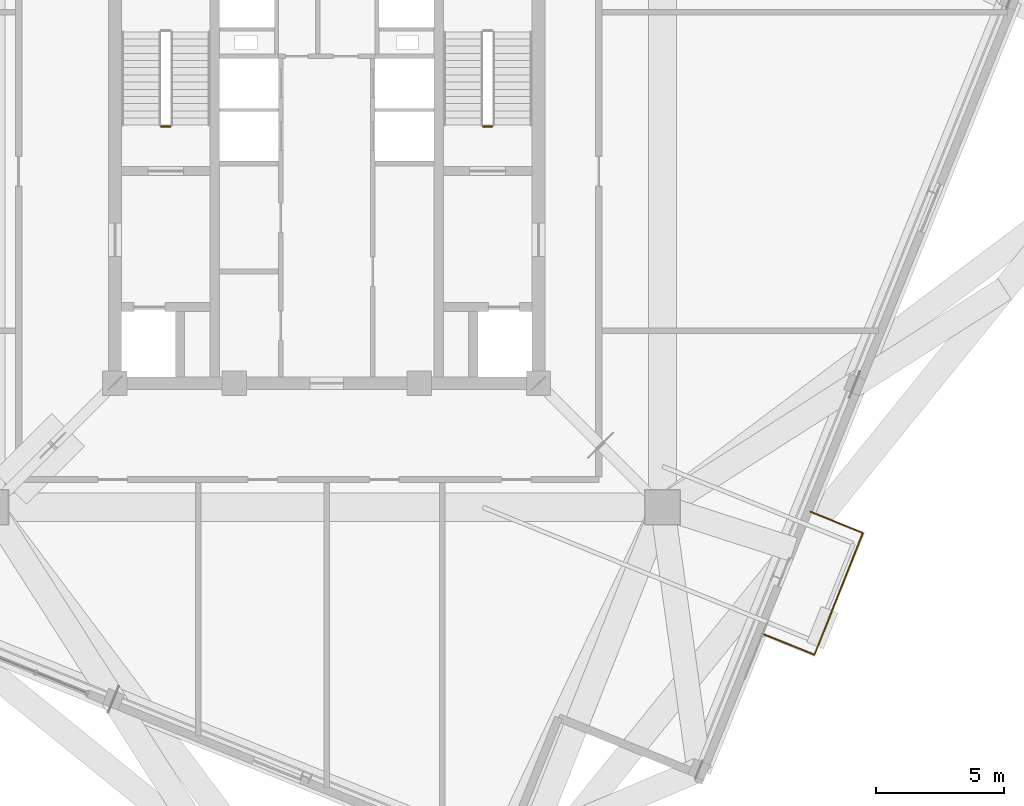
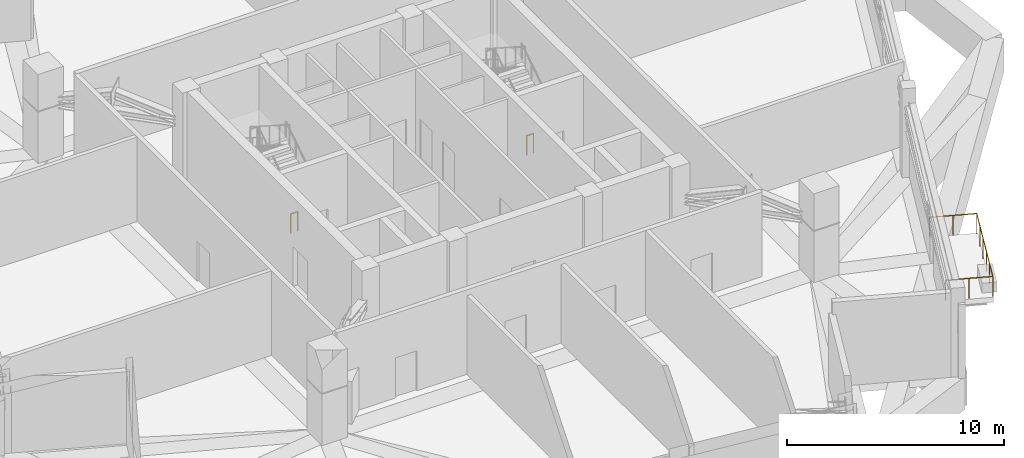
# One storey, part 18 of 20: 5 railings.
"""IFC4 building model written with IfcOpenShell, lengths in metres."""

import ifcopenshell
import ifcopenshell.guid

model = None  # the IFC model being written
_history = None  # IfcOwnerHistory: only IFC2X3 demands one
_inside = {}  # id of a spatial element -> (the spatial element, [elements in it])
_under = {}  # id of a project, library or spatial element -> (it, [spatial elements below it])
_declared = {}  # id of a project -> (the project, [libraries it declares])
_typed = {}  # id of a type object -> (the type object, [elements of that type])
_made_of = {}  # id of a material, layer set ... -> (it, [elements and type objects made of it])


def new_model(schema):
    """Start an empty IFC model of exactly this schema.

    Asked for "IFC4X3", IfcOpenShell would pick the latest addendum, in which some entities
    have other attributes; the version numbers below select the first issue.
    IFC2X3 requires an IfcOwnerHistory on every rooted entity: one is made here for all.
    """
    global model, _history
    if schema == "IFC4X3":
        model = ifcopenshell.file(schema_version=(4, 3, 0, 0))
    else:
        model = ifcopenshell.file(schema=schema)
    _inside.clear()
    _under.clear()
    _declared.clear()
    _typed.clear()
    _made_of.clear()
    _history = None
    if model.schema == "IFC2X3":
        org = make("IfcOrganization", Name="unknown")
        user = make(
            "IfcPersonAndOrganization",
            ThePerson=make("IfcPerson", FamilyName="unknown"),
            TheOrganization=org,
        )
        app = make(
            "IfcApplication",
            ApplicationDeveloper=org,
            Version="unknown",
            ApplicationFullName="unknown",
            ApplicationIdentifier="unknown",
        )
        _history = make(
            "IfcOwnerHistory",
            OwningUser=user,
            OwningApplication=app,
            ChangeAction="ADDED",
            CreationDate=0,
        )
    return model


def make(cls, **values):
    """One entity of the class cls with the attributes given. An attribute that is None is left unset."""
    return model.create_entity(
        cls, **{name: value for name, value in values.items() if value is not None}
    )


def rooted(cls, **values):
    """An entity with a GlobalId (a new one), such as an element, a storey or a relation."""
    return make(cls, GlobalId=ifcopenshell.guid.new(), OwnerHistory=_history, **values)


def si_unit(unit_type, name, prefix=None):
    """IfcSIUnit, for example si_unit("LENGTHUNIT", "METRE", prefix="MILLI")."""
    return make("IfcSIUnit", UnitType=unit_type, Prefix=prefix, Name=name)


def assignment(units):
    """IfcUnitAssignment: the units of a project."""
    return None if units is None else make("IfcUnitAssignment", Units=units)


def point(xyz):
    """IfcCartesianPoint."""
    return None if xyz is None else make("IfcCartesianPoint", Coordinates=xyz)


def direction(xyz):
    """IfcDirection."""
    return None if xyz is None else make("IfcDirection", DirectionRatios=xyz)


def frame(location, z_axis=None, x_axis=None):
    """IfcAxis2Placement3D, a coordinate frame: its origin and axes. An axis left out is left unset."""
    return make(
        "IfcAxis2Placement3D",
        Location=point(location),
        Axis=direction(z_axis),
        RefDirection=direction(x_axis),
    )


def frame_2d(location, x_axis=None):
    """IfcAxis2Placement2D, a coordinate frame in the plane: its origin and x axis."""
    return make(
        "IfcAxis2Placement2D", Location=point(location), RefDirection=direction(x_axis)
    )


def origin():
    """The frame at (0, 0, 0) with its axes left unset."""
    return frame((0.0, 0.0, 0.0))


def origin_2d():
    """The frame at (0, 0) in the plane with its x axis left unset."""
    return frame_2d((0.0, 0.0))


def place(relative_to, where):
    """IfcLocalPlacement: puts the frame where relative to a parent placement (None: the world)."""
    return make(
        "IfcLocalPlacement", PlacementRelTo=relative_to, RelativePlacement=where
    )


def context(
    kind, dimensions, precision=None, world=None, true_north=None, identifier=None
):
    """IfcGeometricRepresentationContext, for example the 3D "Model" context."""
    return make(
        "IfcGeometricRepresentationContext",
        ContextIdentifier=identifier,
        ContextType=kind,
        CoordinateSpaceDimension=dimensions,
        Precision=precision,
        WorldCoordinateSystem=world,
        TrueNorth=true_north,
    )


def subcontext(parent, identifier, kind, view, scale=None):
    """IfcGeometricRepresentationSubContext, for example "Body" below "Model"."""
    return make(
        "IfcGeometricRepresentationSubContext",
        ContextIdentifier=identifier,
        ContextType=kind,
        ParentContext=parent,
        TargetScale=scale,
        TargetView=view,
    )


def project(units=None, contexts=None):
    """IfcProject with its units and contexts."""
    return rooted(
        "IfcProject",
        Name="project",
        RepresentationContexts=contexts,
        UnitsInContext=assignment(units),
    )


def spatial(cls, under=None, at=None, **own):
    """A site, building, storey or space (cls), placed at a placement, below another one or the project."""
    s = rooted(cls, ObjectPlacement=at, **own)
    if under is not None:
        _under.setdefault(under.id(), (under, []))[1].append(s)
    return s


def profile(cls, at=None, kind="AREA", **sizes):
    """A parametric profile (cls). Its sizes go by their IFC names, for example OverallWidth=200.0."""
    return make(cls, ProfileType=kind, Position=at, **sizes)


def circle(**sizes):
    """IfcCircleProfileDef."""
    return profile("IfcCircleProfileDef", **sizes)


def extrude(swept, where, along, depth):
    """IfcExtrudedAreaSolid: the profile swept, set in the frame where, extruded along a direction by depth."""
    return make(
        "IfcExtrudedAreaSolid",
        SweptArea=swept,
        Position=where,
        ExtrudedDirection=direction(along),
        Depth=depth,
    )


def shape(context_of_items, identifier, shape_type, items):
    """IfcShapeRepresentation: the items that make up one representation, for example the "Body"."""
    return make(
        "IfcShapeRepresentation",
        ContextOfItems=context_of_items,
        RepresentationIdentifier=identifier,
        RepresentationType=shape_type,
        Items=items,
    )


def source(mapping_origin, context_of_items, identifier, shape_type, items):
    """IfcRepresentationMap: a shape defined once, which mapped items show again and again."""
    return make(
        "IfcRepresentationMap",
        MappingOrigin=mapping_origin,
        MappedRepresentation=shape(context_of_items, identifier, shape_type, items),
    )


def transform(
    local_origin,
    x_axis=None,
    y_axis=None,
    z_axis=None,
    scale=None,
    scale2=None,
    scale3=None,
    uniform=True,
):
    """IfcCartesianTransformationOperator3D, or its non-uniform kind. x_axis, y_axis, z_axis: its Axis1, 2, 3."""
    if uniform:
        return make(
            "IfcCartesianTransformationOperator3D",
            Axis1=direction(x_axis),
            Axis2=direction(y_axis),
            LocalOrigin=point(local_origin),
            Scale=scale,
            Axis3=direction(z_axis),
        )
    return make(
        "IfcCartesianTransformationOperator3DnonUniform",
        Axis1=direction(x_axis),
        Axis2=direction(y_axis),
        LocalOrigin=point(local_origin),
        Scale=scale,
        Axis3=direction(z_axis),
        Scale2=scale2,
        Scale3=scale3,
    )


def mapped(mapping_source, mapping_target):
    """IfcMappedItem: shows the shape of a source again, moved by a transform."""
    return make(
        "IfcMappedItem", MappingSource=mapping_source, MappingTarget=mapping_target
    )


def material(Name=None, Category=None):
    """IfcMaterial."""
    return make("IfcMaterial", Name=Name, Category=Category)


def made_of(thing, what):
    """Note that an element or type object is made of a material, layer set ...; save() writes the relation."""
    if what is not None:
        _made_of.setdefault(what.id(), (what, []))[1].append(thing)
    return thing


def type_object(cls, material=None, **own):
    """A type object (cls), such as IfcWallType, which elements share."""
    return made_of(rooted(cls, **own), material)


def element(
    cls,
    number,
    at=None,
    inside=None,
    cuts=None,
    type_object=None,
    material=None,
    context=None,
    identifier="Body",
    shape_type=None,
    held_by="IfcProductDefinitionShape",
    body=None,
    shapes=None,
    **own,
):
    """One element of the class cls, such as IfcWall. Its Tag is "e" and its number.

    at: its placement. inside: the storey or other place that contains it. cuts: it is an
    opening in that element (IfcRelVoidsElement). A single representation is given by context,
    identifier, shape_type and body (its items); several are given by shapes. held_by: the class
    of the entity that holds the representations. save() writes the other relations.
    """
    e = rooted(cls, Tag="e%d" % number, ObjectPlacement=at, **own)
    if body is not None:
        shapes = [shape(context, identifier, shape_type, body)]
    if shapes is not None:
        e.Representation = make(held_by, Representations=shapes)
    if inside is not None:
        _inside.setdefault(inside.id(), (inside, []))[1].append(e)
    if cuts is not None:
        rooted(
            "IfcRelVoidsElement", RelatingBuildingElement=cuts, RelatedOpeningElement=e
        )
    if type_object is not None:
        _typed.setdefault(type_object.id(), (type_object, []))[1].append(e)
    return made_of(e, material)


def aggregate(whole, parts):
    """IfcRelAggregates: a whole, such as a stair, and the parts it consists of."""
    return rooted("IfcRelAggregates", RelatingObject=whole, RelatedObjects=parts)


def save(model, path):
    """Write the relations noted so far, then the file.

    IfcRelAggregates (storeys below a building ...), IfcRelContainedInSpatialStructure (elements
    in a storey), IfcRelDefinesByType, IfcRelAssociatesMaterial and IfcRelDeclares: one each for
    every whole, place, type object, material and project.
    """
    for whole, parts in _under.values():
        aggregate(whole, parts)
    for where, things in _inside.values():
        rooted(
            "IfcRelContainedInSpatialStructure",
            RelatedElements=things,
            RelatingStructure=where,
        )
    for kind, things in _typed.values():
        rooted("IfcRelDefinesByType", RelatedObjects=things, RelatingType=kind)
    for what, things in _made_of.values():
        rooted("IfcRelAssociatesMaterial", RelatedObjects=things, RelatingMaterial=what)
    for by, libraries in _declared.values():
        rooted("IfcRelDeclares", RelatingContext=by, RelatedDefinitions=libraries)
    model.write(path)


model = new_model("IFC4")

# Units and contexts
model_context = context("Model", 3, precision=1e-05, world=origin(), true_north=direction((0.0, 1.0)))
body_context = subcontext(model_context, "Body", "Model", "MODEL_VIEW")
ifc_project = project(units=[si_unit("LENGTHUNIT", "METRE"), si_unit("AREAUNIT", "SQUARE_METRE"), si_unit("VOLUMEUNIT", "CUBIC_METRE"), si_unit("PLANEANGLEUNIT", "RADIAN"), si_unit("MASSUNIT", "GRAM", prefix="KILO"), si_unit("THERMODYNAMICTEMPERATUREUNIT", "KELVIN")], contexts=[model_context])

# Site, building, storey
site_placement = place(None, origin())
site = spatial("IfcSite", under=ifc_project, at=site_placement, CompositionType="ELEMENT")
building_placement = place(site_placement, origin())
building = spatial("IfcBuilding", under=site, at=building_placement, Name="Kosmvard Interchange Tower", CompositionType="ELEMENT")
storey_placement = place(building_placement, frame((0.0, 0.0, 260.199951171875)))
storey = spatial("IfcBuildingStorey", under=building, at=storey_placement, Name="L63", CompositionType="ELEMENT", Elevation=260.199951171875)

# Railings
ifc_material = material(Name="Steel S355", Category="steel")
railing_type_1 = type_object("IfcRailingType", Name="Observation & Balcony Glass-Infill Balustrade 1150", PredefinedType="BALUSTRADE", material=ifc_material)
shared_shape_1 = source(origin(), body_context, "Body", "SweptSolid", [
    extrude(circle(Radius=0.02392578125, at=origin_2d()), frame((0.0, 0.0, 1.1259765625), z_axis=(-0.927208487558, 0.374545618852, 0.0), x_axis=(-0.374545618852, -0.927208487558, 0.0)), (0.0, 0.0, 1.0), 2.199951171875),
    extrude(circle(Radius=0.02099609375, at=origin_2d()), origin(), (0.0, 0.0, 1.0), 1.101806640625),
    extrude(circle(Radius=0.02099609375, at=origin_2d()), frame((-1.02001953125, 0.412109375, 0.0)), (0.0, 0.0, 1.0), 1.101806640625),
    extrude(circle(Radius=0.02099609375, at=origin_2d()), frame((-2.039794921875, 0.823974609375, 0.0)), (0.0, 0.0, 1.0), 1.101806640625),
])
railing_1_placement = place(storey_placement, frame((20.883056640625, -14.079833984375, 0.0)))
element("IfcRailing", 1, at=railing_1_placement, inside=storey, type_object=railing_type_1, Name="L63 Outdoor Terrace Guard SKG-L63-S-C", PredefinedType="BALUSTRADE", context=body_context, shape_type="MappedRepresentation", body=[
    mapped(shared_shape_1, transform((0.0, 0.0, 0.0), scale=1.0)),
])
shared_shape_2 = source(origin(), body_context, "Body", "SweptSolid", [
    extrude(circle(Radius=0.02392578125, at=origin_2d()), frame((0.0, 0.0, 1.1259765625), z_axis=(0.927208487558, -0.374545618852, 0.0), x_axis=(0.374545618852, 0.927208487558, 0.0)), (0.0, 0.0, 1.0), 2.199951171875),
    extrude(circle(Radius=0.02099609375, at=origin_2d()), origin(), (0.0, 0.0, 1.0), 1.101806640625),
    extrude(circle(Radius=0.02099609375, at=origin_2d()), frame((1.02001953125, -0.412109375, 0.0)), (0.0, 0.0, 1.0), 1.101806640625),
    extrude(circle(Radius=0.02099609375, at=origin_2d()), frame((2.039794921875, -0.823974609375, 0.0)), (0.0, 0.0, 1.0), 1.101806640625),
])
railing_2_placement = place(storey_placement, frame((16.9599609375, -18.0009765625, 0.0)))
element("IfcRailing", 2, at=railing_2_placement, inside=storey, type_object=railing_type_1, Name="L63 Outdoor Terrace Guard SKG-L63-S-A", PredefinedType="BALUSTRADE", context=body_context, shape_type="MappedRepresentation", body=[
    mapped(shared_shape_2, transform((0.0, 0.0, 0.0), scale=1.0)),
])
shared_shape_3 = source(origin(), body_context, "Body", "SweptSolid", [
    extrude(circle(Radius=0.02392578125, at=origin_2d()), frame((0.0, 0.0, 1.1259765625), z_axis=(0.368899296073, 0.929469369779, 0.0), x_axis=(-0.929469369779, 0.368899296073, 0.0)), (0.0, 0.0, 1.0), 5.105224609375),
    extrude(circle(Radius=0.02099609375, at=origin_2d()), origin(), (0.0, 0.0, 1.0), 1.101806640625),
    extrude(circle(Radius=0.02099609375, at=origin_2d()), frame((0.376708984375, 0.948974609375, 0.0)), (0.0, 0.0, 1.0), 1.101806640625),
    extrude(circle(Radius=0.02099609375, at=origin_2d()), frame((0.75341796875, 1.89794921875, 0.0)), (0.0, 0.0, 1.0), 1.101806640625),
    extrude(circle(Radius=0.02099609375, at=origin_2d()), frame((1.1298828125, 2.84716796875, 0.0)), (0.0, 0.0, 1.0), 1.101806640625),
    extrude(circle(Radius=0.02099609375, at=origin_2d()), frame((1.506591796875, 3.796142578125, 0.0)), (0.0, 0.0, 1.0), 1.101806640625),
    extrude(circle(Radius=0.02099609375, at=origin_2d()), frame((1.88330078125, 4.7451171875, 0.0)), (0.0, 0.0, 1.0), 1.101806640625),
])
railing_3_placement = place(storey_placement, frame((18.999755859375, -18.824951171875, 0.0)))
element("IfcRailing", 3, at=railing_3_placement, inside=storey, type_object=railing_type_1, Name="L63 Outdoor Terrace Guard SKG-L63-S-B", PredefinedType="BALUSTRADE", context=body_context, shape_type="MappedRepresentation", body=[
    mapped(shared_shape_3, transform((0.0, 0.0, 0.0), scale=1.0)),
])
railing_type_2 = type_object("IfcRailingType", Name="Stair & Terrace Safety Guardrail 1100 Steel", PredefinedType="GUARDRAIL", material=ifc_material)
shared_shape_4 = source(origin(), body_context, "Body", "SweptSolid", [
    extrude(circle(Radius=0.02392578125, at=origin_2d()), frame((0.0, 0.0, 1.076171875), z_axis=(-1.0, 0.0, 0.0), x_axis=(0.0, -1.0, 0.0)), (0.0, 0.0, 1.0), 0.35986328125),
    extrude(circle(Radius=0.02099609375, at=origin_2d()), origin(), (0.0, 0.0, 1.0), 1.052001953125),
    extrude(circle(Radius=0.02099609375, at=origin_2d()), frame((-0.35986328125, 0.0, 0.0)), (0.0, 0.0, 1.0), 1.052001953125),
])
for number, where, name in (
    (4, (-6.090087890625, 1.75, 0.0), "L63 ST-1 stair guard 4"),
    (5, (6.449951171875, 1.75, 0.0), "L63 ST-2 stair guard 4"),
):
    element("IfcRailing", number, at=place(storey_placement, frame(where)), inside=storey, type_object=railing_type_2, Name=name, PredefinedType="GUARDRAIL", context=body_context, shape_type="MappedRepresentation", body=[
        mapped(shared_shape_4, transform((0.0, 0.0, 0.0), scale=1.0)),
    ])

save(model, "model.ifc")
